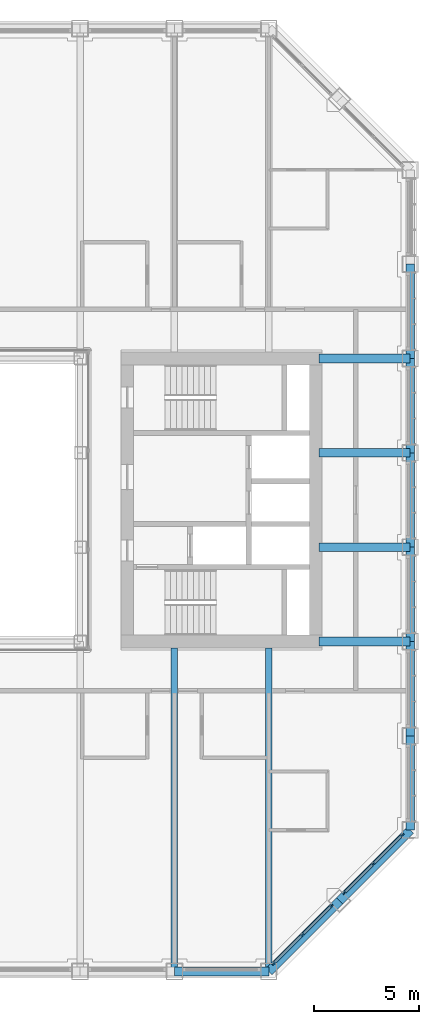
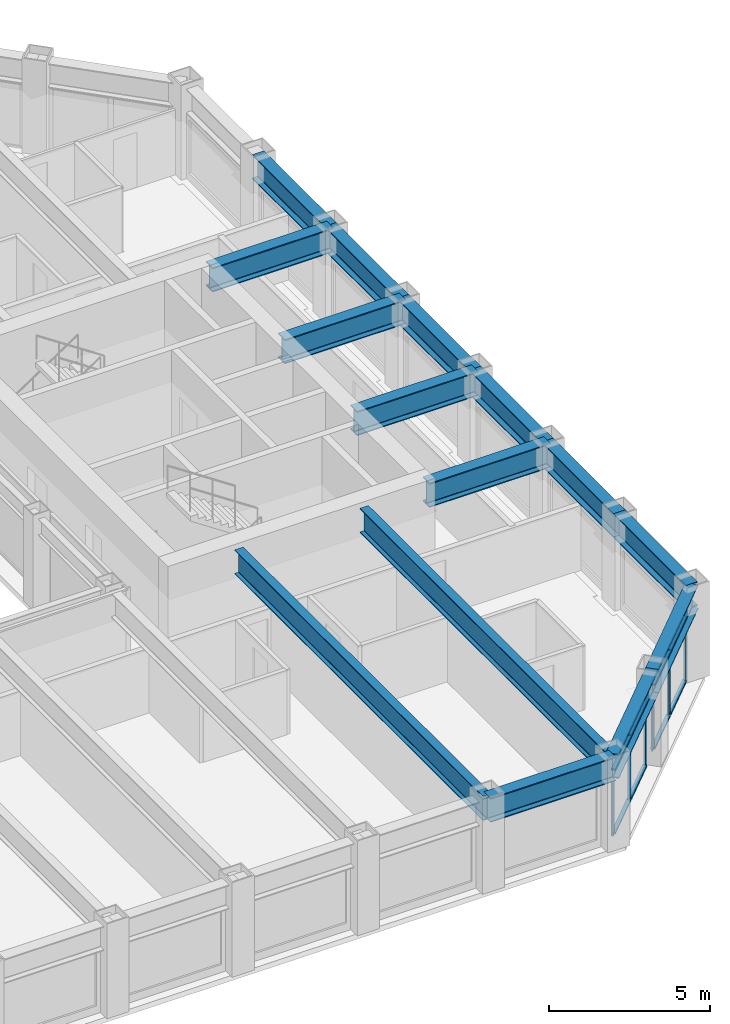
# One storey, part 6 of 17: 15 beams, 14 members, 2 elements without a shape of their own.
"""IFC4 building model written with IfcOpenShell, lengths in metres."""

from ifc_helpers import new_model, si_unit, direction, frame, origin, origin_2d, place, context, subcontext, project, spatial, rectangle, i_section, extrude, material, material_profile, profile_set, type_object, element, aggregate, save


model = new_model("IFC4")

# Units and contexts
model_context = context("Model", 3, precision=1e-05, world=origin(), true_north=direction((0.0, 1.0)))
body_context = subcontext(model_context, "Body", "Model", "MODEL_VIEW")
ifc_project = project(units=[si_unit("LENGTHUNIT", "METRE"), si_unit("AREAUNIT", "SQUARE_METRE"), si_unit("VOLUMEUNIT", "CUBIC_METRE"), si_unit("PLANEANGLEUNIT", "RADIAN"), si_unit("MASSUNIT", "GRAM", prefix="KILO")], contexts=[model_context])

# Site, building, storey
site_placement = place(None, origin())
site = spatial("IfcSite", under=ifc_project, at=site_placement, CompositionType="ELEMENT")
building_placement = place(site_placement, origin())
building = spatial("IfcBuilding", under=site, at=building_placement, Name="Msasa Ring Tower", CompositionType="ELEMENT")
storey_placement = place(building_placement, frame((0.0, 0.0, 179.60009765625)))
storey = spatial("IfcBuildingStorey", under=building, at=storey_placement, Name="L47", CompositionType="ELEMENT", Elevation=179.60009765625)

# Curtain wall, members
ifc_material_1 = material(Name="Aluminium curtain wall with clear glass", Category="aluminium")
curtain_wall_type = type_object("IfcCurtainWallType", Name="CW-C CHAMFER CORNER CURTAIN WALL", PredefinedType="NOTDEFINED", material=ifc_material_1)
curtain_wall_1_placement = place(storey_placement, origin())
curtain_wall_1 = element("IfcCurtainWall", 1, at=curtain_wall_1_placement, inside=storey, type_object=curtain_wall_type, Name="Chamfer corner curtain wall SE L47", PredefinedType="NOTDEFINED")
ifc_material_2 = material(Name="Aluminium mullion", Category="aluminium")
ifc_material_profile_1 = material_profile(ifc_material_2, rectangle(XDim=0.06494140625, YDim=0.179931640625, at=origin_2d()), Name="AL 65x180")
ifc_profile_set_1 = profile_set([ifc_material_profile_1], Name="Aluminium mullion")
member_type_1 = type_object("IfcMemberType", Name="CW-C MULLION 65x180", PredefinedType="MULLION", material=ifc_profile_set_1)
member_1_placement = place(storey_placement, frame((15.98876953125, -22.119873046875, 0.0), z_axis=(0.0, 0.0, 1.0), x_axis=(-0.707106781187, 0.707106781187, 0.0)))
member_1 = element("IfcMember", 2, at=member_1_placement, type_object=member_type_1, Name="CW-C mullion 1", PredefinedType="MULLION", context=body_context, shape_type="SweptSolid", body=[
    extrude(rectangle(XDim=0.06494140625, YDim=0.179931640625, at=origin_2d()), origin(), (0.0, 0.0, 1.0), 2.47900390625),
])
member_2_placement = place(storey_placement, frame((17.36669921875, -20.74169921875, 0.0), z_axis=(0.0, 0.0, 1.0), x_axis=(-0.707106781187, 0.707106781187, 0.0)))
member_2 = element("IfcMember", 3, at=member_2_placement, type_object=member_type_1, Name="CW-C mullion 2", PredefinedType="MULLION", context=body_context, shape_type="SweptSolid", body=[
    extrude(rectangle(XDim=0.06494140625, YDim=0.179931640625, at=origin_2d()), origin(), (0.0, 0.0, 1.0), 2.47900390625),
])
member_3_placement = place(storey_placement, frame((18.744873046875, -19.36376953125, 0.0), z_axis=(0.0, 0.0, 1.0), x_axis=(-0.707106781187, 0.707106781187, 0.0)))
member_3 = element("IfcMember", 4, at=member_3_placement, type_object=member_type_1, Name="CW-C mullion 3", PredefinedType="MULLION", context=body_context, shape_type="SweptSolid", body=[
    extrude(rectangle(XDim=0.06494140625, YDim=0.179931640625, at=origin_2d()), origin(), (0.0, 0.0, 1.0), 2.47900390625),
])

curtain_wall_2_placement = place(storey_placement, origin())
curtain_wall_2 = element("IfcCurtainWall", 5, at=curtain_wall_2_placement, inside=storey, type_object=curtain_wall_type, Name="Chamfer corner curtain wall SE L47", PredefinedType="NOTDEFINED")
member_4_placement = place(storey_placement, frame((19.36376953125, -18.744873046875, 0.0), z_axis=(0.0, 0.0, 1.0), x_axis=(-0.707106781187, 0.707106781187, 0.0)))
member_4 = element("IfcMember", 6, at=member_4_placement, type_object=member_type_1, Name="CW-C mullion 1", PredefinedType="MULLION", context=body_context, shape_type="SweptSolid", body=[
    extrude(rectangle(XDim=0.06494140625, YDim=0.179931640625, at=origin_2d()), origin(), (0.0, 0.0, 1.0), 2.47900390625),
])
member_5_placement = place(storey_placement, frame((20.74169921875, -17.36669921875, 0.0), z_axis=(0.0, 0.0, 1.0), x_axis=(-0.707106781187, 0.707106781187, 0.0)))
member_5 = element("IfcMember", 7, at=member_5_placement, type_object=member_type_1, Name="CW-C mullion 2", PredefinedType="MULLION", context=body_context, shape_type="SweptSolid", body=[
    extrude(rectangle(XDim=0.06494140625, YDim=0.179931640625, at=origin_2d()), origin(), (0.0, 0.0, 1.0), 2.47900390625),
])
member_6_placement = place(storey_placement, frame((22.119873046875, -15.98876953125, 0.0), z_axis=(0.0, 0.0, 1.0), x_axis=(-0.707106781187, 0.707106781187, 0.0)))
member_6 = element("IfcMember", 8, at=member_6_placement, type_object=member_type_1, Name="CW-C mullion 3", PredefinedType="MULLION", context=body_context, shape_type="SweptSolid", body=[
    extrude(rectangle(XDim=0.06494140625, YDim=0.179931640625, at=origin_2d()), origin(), (0.0, 0.0, 1.0), 2.47900390625),
])

# Member
ifc_material_3 = material(Name="Aluminium transom", Category="aluminium")
ifc_material_profile_2 = material_profile(ifc_material_3, rectangle(XDim=0.139892578125, YDim=0.06494140625, at=origin_2d()), Name="AL 65x140")
ifc_profile_set_2 = profile_set([ifc_material_profile_2], Name="Aluminium transom")
member_type_2 = type_object("IfcMemberType", Name="CW-C TRANSOM 65x140", PredefinedType="USERDEFINED", material=ifc_profile_set_2)
member_7_placement = place(storey_placement, frame((16.01171875, -22.096923828125, 0.032470703125), z_axis=(0.707106781187, 0.707106781187, 0.0), x_axis=(-0.707106781187, 0.707106781187, 0.0)))
member_7 = element("IfcMember", 9, at=member_7_placement, type_object=member_type_2, Name="CW-C transom 1.1", ObjectType="TRANSOM", PredefinedType="USERDEFINED", context=body_context, shape_type="SweptSolid", body=[
    extrude(rectangle(XDim=0.139892578125, YDim=0.06494140625, at=origin_2d()), origin(), (0.0, 0.0, 1.0), 1.8837890625),
])

member_8_placement = place(storey_placement, frame((16.01171875, -22.096923828125, 2.4462890625), z_axis=(0.707106781187, 0.707106781187, 0.0), x_axis=(-0.707106781187, 0.707106781187, 0.0)))
member_8 = element("IfcMember", 10, at=member_8_placement, type_object=member_type_2, Name="CW-C transom 1.2", ObjectType="TRANSOM", PredefinedType="USERDEFINED", context=body_context, shape_type="SweptSolid", body=[
    extrude(rectangle(XDim=0.139892578125, YDim=0.06494140625, at=origin_2d()), origin(), (0.0, 0.0, 1.0), 1.8837890625),
])

member_9_placement = place(storey_placement, frame((17.389892578125, -20.71875, 0.032470703125), z_axis=(0.707106781187, 0.707106781187, 0.0), x_axis=(-0.707106781187, 0.707106781187, 0.0)))
member_9 = element("IfcMember", 11, at=member_9_placement, type_object=member_type_2, Name="CW-C transom 2.1", ObjectType="TRANSOM", PredefinedType="USERDEFINED", context=body_context, shape_type="SweptSolid", body=[
    extrude(rectangle(XDim=0.139892578125, YDim=0.06494140625, at=origin_2d()), origin(), (0.0, 0.0, 1.0), 1.8837890625),
])

member_10_placement = place(storey_placement, frame((17.389892578125, -20.71875, 2.4462890625), z_axis=(0.707106781187, 0.707106781187, 0.0), x_axis=(-0.707106781187, 0.707106781187, 0.0)))
member_10 = element("IfcMember", 12, at=member_10_placement, type_object=member_type_2, Name="CW-C transom 2.2", ObjectType="TRANSOM", PredefinedType="USERDEFINED", context=body_context, shape_type="SweptSolid", body=[
    extrude(rectangle(XDim=0.139892578125, YDim=0.06494140625, at=origin_2d()), origin(), (0.0, 0.0, 1.0), 1.8837890625),
])

aggregate(curtain_wall_1, [member_1, member_2, member_3, member_7, member_8, member_9, member_10])

member_11_placement = place(storey_placement, frame((19.38671875, -18.721923828125, 0.032470703125), z_axis=(0.707106781187, 0.707106781187, 0.0), x_axis=(-0.707106781187, 0.707106781187, 0.0)))
member_11 = element("IfcMember", 13, at=member_11_placement, type_object=member_type_2, Name="CW-C transom 1.1", ObjectType="TRANSOM", PredefinedType="USERDEFINED", context=body_context, shape_type="SweptSolid", body=[
    extrude(rectangle(XDim=0.139892578125, YDim=0.06494140625, at=origin_2d()), origin(), (0.0, 0.0, 1.0), 1.8837890625),
])

member_12_placement = place(storey_placement, frame((19.38671875, -18.721923828125, 2.4462890625), z_axis=(0.707106781187, 0.707106781187, 0.0), x_axis=(-0.707106781187, 0.707106781187, 0.0)))
member_12 = element("IfcMember", 14, at=member_12_placement, type_object=member_type_2, Name="CW-C transom 1.2", ObjectType="TRANSOM", PredefinedType="USERDEFINED", context=body_context, shape_type="SweptSolid", body=[
    extrude(rectangle(XDim=0.139892578125, YDim=0.06494140625, at=origin_2d()), origin(), (0.0, 0.0, 1.0), 1.8837890625),
])

member_13_placement = place(storey_placement, frame((20.764892578125, -17.34375, 0.032470703125), z_axis=(0.707106781187, 0.707106781187, 0.0), x_axis=(-0.707106781187, 0.707106781187, 0.0)))
member_13 = element("IfcMember", 15, at=member_13_placement, type_object=member_type_2, Name="CW-C transom 2.1", ObjectType="TRANSOM", PredefinedType="USERDEFINED", context=body_context, shape_type="SweptSolid", body=[
    extrude(rectangle(XDim=0.139892578125, YDim=0.06494140625, at=origin_2d()), origin(), (0.0, 0.0, 1.0), 1.8837890625),
])

member_14_placement = place(storey_placement, frame((20.764892578125, -17.34375, 2.4462890625), z_axis=(0.707106781187, 0.707106781187, 0.0), x_axis=(-0.707106781187, 0.707106781187, 0.0)))
member_14 = element("IfcMember", 16, at=member_14_placement, type_object=member_type_2, Name="CW-C transom 2.2", ObjectType="TRANSOM", PredefinedType="USERDEFINED", context=body_context, shape_type="SweptSolid", body=[
    extrude(rectangle(XDim=0.139892578125, YDim=0.06494140625, at=origin_2d()), origin(), (0.0, 0.0, 1.0), 1.8837890625),
])

aggregate(curtain_wall_2, [member_4, member_5, member_6, member_11, member_12, member_13, member_14])

# Beams
ifc_material_4 = material(Name="Steel S355", Category="steel")
ifc_material_profile_3 = material_profile(ifc_material_4, i_section(OverallWidth=0.42041015625, OverallDepth=0.9208984375, WebThickness=0.021484375, FlangeThickness=0.03662109375, FilletRadius=0.024169921875, at=origin_2d()), Name="UB 914x419x388")
ifc_profile_set_3 = profile_set([ifc_material_profile_3], Name="Steel S355")
beam_type_1 = type_object("IfcBeamType", Name="FB2 UB 914x419x388", PredefinedType="BEAM", material=ifc_profile_set_3)
for number, where, z_axis, x_axis, name in (
    (17, (22.5, -2.25, 2.939453125), (-1.0, 0.0, 0.0), (0.0, -1.0, 0.0), "Floor beam E -2.25 under L48"),
    (18, (22.5, 2.25, 2.939453125), (-1.0, 0.0, 0.0), (0.0, -1.0, 0.0), "Floor beam E +2.25 under L48"),
):
    element("IfcBeam", number, at=place(storey_placement, frame(where, z_axis=z_axis, x_axis=x_axis)), inside=storey, type_object=beam_type_1, Name=name, PredefinedType="BEAM", context=body_context, shape_type="SweptSolid", body=[
        extrude(i_section(OverallWidth=0.42041015625, OverallDepth=0.9208984375, WebThickness=0.021484375, FlangeThickness=0.03662109375, FilletRadius=0.024169921875, at=origin_2d()), origin(), (0.0, 0.0, 1.0), 4.35009765625),
    ])
ifc_material_5 = material(Name="Steel S355", Category="steel")
ifc_material_profile_4 = material_profile(ifc_material_5, i_section(OverallWidth=0.3076171875, OverallDepth=0.926513671875, WebThickness=0.01953125, FlangeThickness=0.031982421875, FilletRadius=0.01904296875, at=origin_2d()), Name="UB 914x305x289")
ifc_profile_set_4 = profile_set([ifc_material_profile_4], Name="Steel S355")
beam_type_2 = type_object("IfcBeamType", Name="FB3 UB 914x305x289", PredefinedType="BEAM", material=ifc_profile_set_4)
for number, where, z_axis, x_axis, name in (
    (19, (11.25, -22.5, 2.9365234375), (0.0, 1.0, 0.0), (-1.0, 0.0, 0.0), "Floor beam S+11.25 under L48"),
    (20, (15.75, -22.5, 2.9365234375), (0.0, 1.0, 0.0), (-1.0, 0.0, 0.0), "Floor beam S+15.75 under L48"),
):
    element("IfcBeam", number, at=place(storey_placement, frame(where, z_axis=z_axis, x_axis=x_axis)), inside=storey, type_object=beam_type_2, Name=name, PredefinedType="BEAM", context=body_context, shape_type="SweptSolid", body=[
        extrude(i_section(OverallWidth=0.3076171875, OverallDepth=0.926513671875, WebThickness=0.01953125, FlangeThickness=0.031982421875, FilletRadius=0.01904296875, at=origin_2d()), origin(), (0.0, 0.0, 1.0), 15.449951171875),
    ])
ifc_material_6 = material(Name="Steel S355", Category="steel")
ifc_material_profile_5 = material_profile(ifc_material_6, i_section(OverallWidth=0.42041015625, OverallDepth=0.9208984375, WebThickness=0.021484375, FlangeThickness=0.03662109375, FilletRadius=0.024169921875, at=origin_2d()), Name="UB 914x419x388")
ifc_profile_set_5 = profile_set([ifc_material_profile_5], Name="Steel S355")
beam_type_3 = type_object("IfcBeamType", Name="GB1 UB 914x419x388", PredefinedType="BEAM", material=ifc_profile_set_5)
for number, where, z_axis, x_axis, name in (
    (21, (18.14990234375, 6.75, 2.939453125), (1.0, 0.0, 0.0), (0.0, 1.0, 0.0), "Girder E +6.75 under L48"),
    (22, (18.14990234375, -6.75, 2.939453125), (1.0, 0.0, 0.0), (0.0, 1.0, 0.0), "Girder E -6.75 under L48"),
):
    element("IfcBeam", number, at=place(storey_placement, frame(where, z_axis=z_axis, x_axis=x_axis)), inside=storey, type_object=beam_type_3, Name=name, PredefinedType="BEAM", context=body_context, shape_type="SweptSolid", body=[
        extrude(i_section(OverallWidth=0.42041015625, OverallDepth=0.9208984375, WebThickness=0.021484375, FlangeThickness=0.03662109375, FilletRadius=0.024169921875, at=origin_2d()), origin(), (0.0, 0.0, 1.0), 4.35009765625),
    ])
ifc_material_7 = material(Name="Steel S355", Category="steel")
ifc_material_profile_6 = material_profile(ifc_material_7, i_section(OverallWidth=0.42041015625, OverallDepth=0.9208984375, WebThickness=0.021484375, FlangeThickness=0.03662109375, FilletRadius=0.024169921875, at=origin_2d()), Name="UB 914x419x388")
ifc_profile_set_6 = profile_set([ifc_material_profile_6], Name="Steel S355")
beam_type_4 = type_object("IfcBeamType", Name="SB1 UB 914x419x388", PredefinedType="SPANDREL", material=ifc_profile_set_6)
beam_placement = place(storey_placement, frame((11.25, -22.5, 2.939453125), z_axis=(1.0, 0.0, 0.0), x_axis=(0.0, 1.0, 0.0)))
element("IfcBeam", 23, at=beam_placement, inside=storey, type_object=beam_type_4, Name="Spandrel S+11.25 to S+15.75 under L48", PredefinedType="SPANDREL", context=body_context, shape_type="SweptSolid", body=[
    extrude(i_section(OverallWidth=0.42041015625, OverallDepth=0.9208984375, WebThickness=0.021484375, FlangeThickness=0.03662109375, FilletRadius=0.024169921875, at=origin_2d()), origin(), (0.0, 0.0, 1.0), 4.5),
])
for number, where, z_axis, x_axis, name in (
    (24, (15.75, -22.5, 2.939453125), (0.707106781187, 0.707106781187, 0.0), (-0.707106781187, 0.707106781187, 0.0), "Spandrel S+15.75 to SE under L48"),
    (25, (19.125, -19.125, 2.939453125), (0.707106781187, 0.707106781187, 0.0), (-0.707106781187, 0.707106781187, 0.0), "Spandrel SE to E-15.75 under L48"),
):
    element("IfcBeam", number, at=place(storey_placement, frame(where, z_axis=z_axis, x_axis=x_axis)), inside=storey, type_object=beam_type_4, Name=name, PredefinedType="SPANDREL", context=body_context, shape_type="SweptSolid", body=[
        extrude(i_section(OverallWidth=0.42041015625, OverallDepth=0.9208984375, WebThickness=0.021484375, FlangeThickness=0.03662109375, FilletRadius=0.024169921875, at=origin_2d()), origin(), (0.0, 0.0, 1.0), 4.77294921875),
    ])
for number, where, z_axis, x_axis, name in (
    (26, (22.5, -15.75, 2.939453125), (0.0, 1.0, 0.0), (-1.0, 0.0, 0.0), "Spandrel E-15.75 to E-11.25 under L48"),
    (27, (22.5, -11.25, 2.939453125), (0.0, 1.0, 0.0), (-1.0, 0.0, 0.0), "Spandrel E-11.25 to E-6.75 under L48"),
    (28, (22.5, -6.75, 2.939453125), (0.0, 1.0, 0.0), (-1.0, 0.0, 0.0), "Spandrel E-6.75 to E-2.25 under L48"),
    (29, (22.5, -2.25, 2.939453125), (0.0, 1.0, 0.0), (-1.0, 0.0, 0.0), "Spandrel E-2.25 to E+2.25 under L48"),
    (30, (22.5, 2.25, 2.939453125), (0.0, 1.0, 0.0), (-1.0, 0.0, 0.0), "Spandrel E+2.25 to E+6.75 under L48"),
    (31, (22.5, 6.75, 2.939453125), (0.0, 1.0, 0.0), (-1.0, 0.0, 0.0), "Spandrel E+6.75 to E+11.25 under L48"),
):
    element("IfcBeam", number, at=place(storey_placement, frame(where, z_axis=z_axis, x_axis=x_axis)), inside=storey, type_object=beam_type_4, Name=name, PredefinedType="SPANDREL", context=body_context, shape_type="SweptSolid", body=[
        extrude(i_section(OverallWidth=0.42041015625, OverallDepth=0.9208984375, WebThickness=0.021484375, FlangeThickness=0.03662109375, FilletRadius=0.024169921875, at=origin_2d()), origin(), (0.0, 0.0, 1.0), 4.5),
    ])

save(model, "model.ifc")
